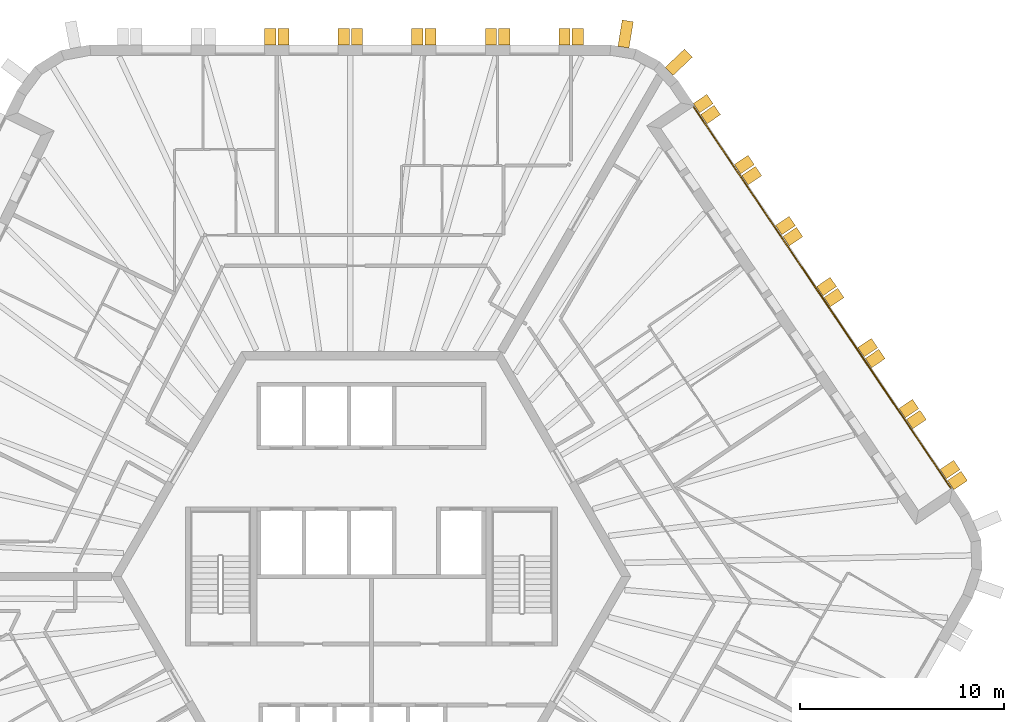
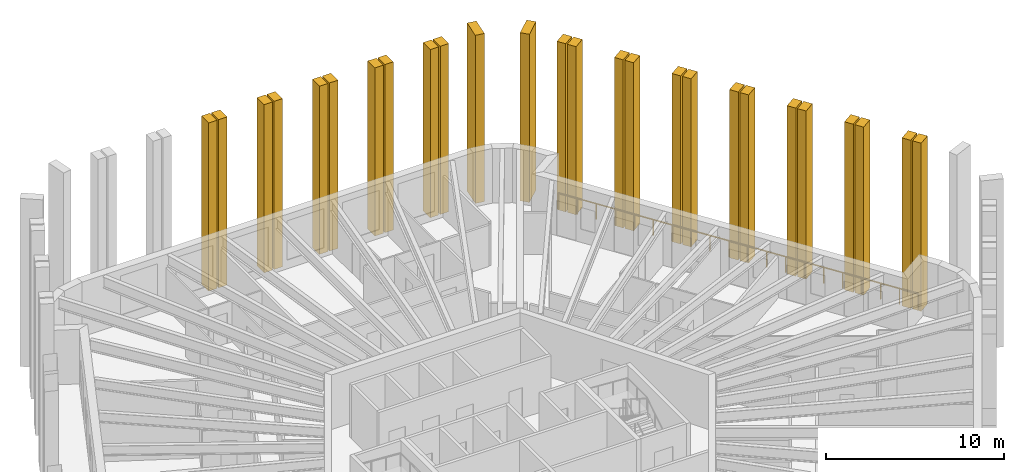
# One storey, part 13 of 13: 26 shading devices, 1 railing.
"""IFC4 building model written with IfcOpenShell, lengths in metres."""

import ifcopenshell
import ifcopenshell.guid

model = None  # the IFC model being written
_history = None  # IfcOwnerHistory: only IFC2X3 demands one
_inside = {}  # id of a spatial element -> (the spatial element, [elements in it])
_under = {}  # id of a project, library or spatial element -> (it, [spatial elements below it])
_declared = {}  # id of a project -> (the project, [libraries it declares])
_typed = {}  # id of a type object -> (the type object, [elements of that type])
_made_of = {}  # id of a material, layer set ... -> (it, [elements and type objects made of it])


def new_model(schema):
    """Start an empty IFC model of exactly this schema.

    Asked for "IFC4X3", IfcOpenShell would pick the latest addendum, in which some entities
    have other attributes; the version numbers below select the first issue.
    IFC2X3 requires an IfcOwnerHistory on every rooted entity: one is made here for all.
    """
    global model, _history
    if schema == "IFC4X3":
        model = ifcopenshell.file(schema_version=(4, 3, 0, 0))
    else:
        model = ifcopenshell.file(schema=schema)
    _inside.clear()
    _under.clear()
    _declared.clear()
    _typed.clear()
    _made_of.clear()
    _history = None
    if model.schema == "IFC2X3":
        org = make("IfcOrganization", Name="unknown")
        user = make(
            "IfcPersonAndOrganization",
            ThePerson=make("IfcPerson", FamilyName="unknown"),
            TheOrganization=org,
        )
        app = make(
            "IfcApplication",
            ApplicationDeveloper=org,
            Version="unknown",
            ApplicationFullName="unknown",
            ApplicationIdentifier="unknown",
        )
        _history = make(
            "IfcOwnerHistory",
            OwningUser=user,
            OwningApplication=app,
            ChangeAction="ADDED",
            CreationDate=0,
        )
    return model


def make(cls, **values):
    """One entity of the class cls with the attributes given. An attribute that is None is left unset."""
    return model.create_entity(
        cls, **{name: value for name, value in values.items() if value is not None}
    )


def rooted(cls, **values):
    """An entity with a GlobalId (a new one), such as an element, a storey or a relation."""
    return make(cls, GlobalId=ifcopenshell.guid.new(), OwnerHistory=_history, **values)


def si_unit(unit_type, name, prefix=None):
    """IfcSIUnit, for example si_unit("LENGTHUNIT", "METRE", prefix="MILLI")."""
    return make("IfcSIUnit", UnitType=unit_type, Prefix=prefix, Name=name)


def assignment(units):
    """IfcUnitAssignment: the units of a project."""
    return None if units is None else make("IfcUnitAssignment", Units=units)


def point(xyz):
    """IfcCartesianPoint."""
    return None if xyz is None else make("IfcCartesianPoint", Coordinates=xyz)


def direction(xyz):
    """IfcDirection."""
    return None if xyz is None else make("IfcDirection", DirectionRatios=xyz)


def frame(location, z_axis=None, x_axis=None):
    """IfcAxis2Placement3D, a coordinate frame: its origin and axes. An axis left out is left unset."""
    return make(
        "IfcAxis2Placement3D",
        Location=point(location),
        Axis=direction(z_axis),
        RefDirection=direction(x_axis),
    )


def frame_2d(location, x_axis=None):
    """IfcAxis2Placement2D, a coordinate frame in the plane: its origin and x axis."""
    return make(
        "IfcAxis2Placement2D", Location=point(location), RefDirection=direction(x_axis)
    )


def origin():
    """The frame at (0, 0, 0) with its axes left unset."""
    return frame((0.0, 0.0, 0.0))


def origin_2d():
    """The frame at (0, 0) in the plane with its x axis left unset."""
    return frame_2d((0.0, 0.0))


def place(relative_to, where):
    """IfcLocalPlacement: puts the frame where relative to a parent placement (None: the world)."""
    return make(
        "IfcLocalPlacement", PlacementRelTo=relative_to, RelativePlacement=where
    )


def context(
    kind, dimensions, precision=None, world=None, true_north=None, identifier=None
):
    """IfcGeometricRepresentationContext, for example the 3D "Model" context."""
    return make(
        "IfcGeometricRepresentationContext",
        ContextIdentifier=identifier,
        ContextType=kind,
        CoordinateSpaceDimension=dimensions,
        Precision=precision,
        WorldCoordinateSystem=world,
        TrueNorth=true_north,
    )


def subcontext(parent, identifier, kind, view, scale=None):
    """IfcGeometricRepresentationSubContext, for example "Body" below "Model"."""
    return make(
        "IfcGeometricRepresentationSubContext",
        ContextIdentifier=identifier,
        ContextType=kind,
        ParentContext=parent,
        TargetScale=scale,
        TargetView=view,
    )


def project(units=None, contexts=None):
    """IfcProject with its units and contexts."""
    return rooted(
        "IfcProject",
        Name="project",
        RepresentationContexts=contexts,
        UnitsInContext=assignment(units),
    )


def spatial(cls, under=None, at=None, **own):
    """A site, building, storey or space (cls), placed at a placement, below another one or the project."""
    s = rooted(cls, ObjectPlacement=at, **own)
    if under is not None:
        _under.setdefault(under.id(), (under, []))[1].append(s)
    return s


def polyline(points):
    """IfcPolyline through the points."""
    return make("IfcPolyline", Points=[point(p) for p in points])


def profile(cls, at=None, kind="AREA", **sizes):
    """A parametric profile (cls). Its sizes go by their IFC names, for example OverallWidth=200.0."""
    return make(cls, ProfileType=kind, Position=at, **sizes)


def circle(**sizes):
    """IfcCircleProfileDef."""
    return profile("IfcCircleProfileDef", **sizes)


def outline(outer, holes=None, kind="AREA"):
    """IfcArbitraryClosedProfileDef: a profile drawn as a closed curve; with holes, ...WithVoids."""
    if holes is None:
        return make("IfcArbitraryClosedProfileDef", ProfileType=kind, OuterCurve=outer)
    return make(
        "IfcArbitraryProfileDefWithVoids",
        ProfileType=kind,
        OuterCurve=outer,
        InnerCurves=holes,
    )


def extrude(swept, where, along, depth):
    """IfcExtrudedAreaSolid: the profile swept, set in the frame where, extruded along a direction by depth."""
    return make(
        "IfcExtrudedAreaSolid",
        SweptArea=swept,
        Position=where,
        ExtrudedDirection=direction(along),
        Depth=depth,
    )


def shape(context_of_items, identifier, shape_type, items):
    """IfcShapeRepresentation: the items that make up one representation, for example the "Body"."""
    return make(
        "IfcShapeRepresentation",
        ContextOfItems=context_of_items,
        RepresentationIdentifier=identifier,
        RepresentationType=shape_type,
        Items=items,
    )


def material(Name=None, Category=None):
    """IfcMaterial."""
    return make("IfcMaterial", Name=Name, Category=Category)


def layer(
    of_material, thickness, ventilated=None, Name=None, Category=None, Priority=None
):
    """IfcMaterialLayer: one layer of a wall or slab, of a material (None: an air gap)."""
    return make(
        "IfcMaterialLayer",
        Material=of_material,
        LayerThickness=thickness,
        IsVentilated=ventilated,
        Name=Name,
        Category=Category,
        Priority=Priority,
    )


def layer_set(layers, Name=None):
    """IfcMaterialLayerSet."""
    return make("IfcMaterialLayerSet", MaterialLayers=layers, LayerSetName=Name)


def made_of(thing, what):
    """Note that an element or type object is made of a material, layer set ...; save() writes the relation."""
    if what is not None:
        _made_of.setdefault(what.id(), (what, []))[1].append(thing)
    return thing


def type_object(cls, material=None, **own):
    """A type object (cls), such as IfcWallType, which elements share."""
    return made_of(rooted(cls, **own), material)


def element(
    cls,
    number,
    at=None,
    inside=None,
    cuts=None,
    type_object=None,
    material=None,
    context=None,
    identifier="Body",
    shape_type=None,
    held_by="IfcProductDefinitionShape",
    body=None,
    shapes=None,
    **own,
):
    """One element of the class cls, such as IfcWall. Its Tag is "e" and its number.

    at: its placement. inside: the storey or other place that contains it. cuts: it is an
    opening in that element (IfcRelVoidsElement). A single representation is given by context,
    identifier, shape_type and body (its items); several are given by shapes. held_by: the class
    of the entity that holds the representations. save() writes the other relations.
    """
    e = rooted(cls, Tag="e%d" % number, ObjectPlacement=at, **own)
    if body is not None:
        shapes = [shape(context, identifier, shape_type, body)]
    if shapes is not None:
        e.Representation = make(held_by, Representations=shapes)
    if inside is not None:
        _inside.setdefault(inside.id(), (inside, []))[1].append(e)
    if cuts is not None:
        rooted(
            "IfcRelVoidsElement", RelatingBuildingElement=cuts, RelatedOpeningElement=e
        )
    if type_object is not None:
        _typed.setdefault(type_object.id(), (type_object, []))[1].append(e)
    return made_of(e, material)


def aggregate(whole, parts):
    """IfcRelAggregates: a whole, such as a stair, and the parts it consists of."""
    return rooted("IfcRelAggregates", RelatingObject=whole, RelatedObjects=parts)


def save(model, path):
    """Write the relations noted so far, then the file.

    IfcRelAggregates (storeys below a building ...), IfcRelContainedInSpatialStructure (elements
    in a storey), IfcRelDefinesByType, IfcRelAssociatesMaterial and IfcRelDeclares: one each for
    every whole, place, type object, material and project.
    """
    for whole, parts in _under.values():
        aggregate(whole, parts)
    for where, things in _inside.values():
        rooted(
            "IfcRelContainedInSpatialStructure",
            RelatedElements=things,
            RelatingStructure=where,
        )
    for kind, things in _typed.values():
        rooted("IfcRelDefinesByType", RelatedObjects=things, RelatingType=kind)
    for what, things in _made_of.values():
        rooted("IfcRelAssociatesMaterial", RelatedObjects=things, RelatingMaterial=what)
    for by, libraries in _declared.values():
        rooted("IfcRelDeclares", RelatingContext=by, RelatedDefinitions=libraries)
    model.write(path)


model = new_model("IFC4")

# Units and contexts
model_context = context("Model", 3, precision=1e-05, world=origin(), true_north=direction((0.0, 1.0)))
body_context = subcontext(model_context, "Body", "Model", "MODEL_VIEW")
ifc_project = project(units=[si_unit("LENGTHUNIT", "METRE"), si_unit("AREAUNIT", "SQUARE_METRE"), si_unit("VOLUMEUNIT", "CUBIC_METRE"), si_unit("PLANEANGLEUNIT", "RADIAN"), si_unit("MASSUNIT", "GRAM", prefix="KILO")], contexts=[model_context])

# Site, building, storey
site_placement = place(None, origin())
site = spatial("IfcSite", under=ifc_project, at=site_placement, CompositionType="ELEMENT")
building_placement = place(site_placement, origin())
building = spatial("IfcBuilding", under=site, at=building_placement, Name="Tarnside Tower", CompositionType="ELEMENT")
storey_placement = place(building_placement, frame((0.0, 0.0, 326.39990234375)))
storey = spatial("IfcBuildingStorey", under=building, at=storey_placement, Name="L79", CompositionType="ELEMENT", Elevation=326.39990234375)

# Railing
ifc_material_1 = material(Name="Toughened glass", Category="glass")
railing_type = type_object("IfcRailingType", Name="Glass guard 1100", PredefinedType="GUARDRAIL", material=ifc_material_1)
railing_placement = place(storey_placement, frame((28.365234375, 4.299560546875, 0.0)))
element("IfcRailing", 1, at=railing_placement, inside=storey, type_object=railing_type, Name="Loggia guard L79 F6", PredefinedType="GUARDRAIL", context=body_context, shape_type="SweptSolid", body=[
    extrude(circle(Radius=0.030029296875, at=origin_2d()), frame((0.0, 0.0, 1.070068359375), z_axis=(-0.559195329741, 0.82903593601, 0.0), x_axis=(-0.82903593601, -0.559195329741, 0.0)), (0.0, 0.0, 1.0), 22.544677734375),
    extrude(circle(Radius=0.02490234375, at=origin_2d()), origin(), (0.0, 0.0, 1.0), 1.0400390625),
    extrude(circle(Radius=0.02490234375, at=origin_2d()), frame((-0.66357421875, 0.983642578125, 0.0)), (0.0, 0.0, 1.0), 1.0400390625),
    extrude(circle(Radius=0.02490234375, at=origin_2d()), frame((-1.3271484375, 1.967529296875, 0.0)), (0.0, 0.0, 1.0), 1.0400390625),
    extrude(circle(Radius=0.02490234375, at=origin_2d()), frame((-1.990478515625, 2.951171875, 0.0)), (0.0, 0.0, 1.0), 1.0400390625),
    extrude(circle(Radius=0.02490234375, at=origin_2d()), frame((-2.654052734375, 3.934814453125, 0.0)), (0.0, 0.0, 1.0), 1.0400390625),
    extrude(circle(Radius=0.02490234375, at=origin_2d()), frame((-3.317626953125, 4.91845703125, 0.0)), (0.0, 0.0, 1.0), 1.0400390625),
    extrude(circle(Radius=0.02490234375, at=origin_2d()), frame((-3.981201171875, 5.90234375, 0.0)), (0.0, 0.0, 1.0), 1.0400390625),
    extrude(circle(Radius=0.02490234375, at=origin_2d()), frame((-4.644775390625, 6.885986328125, 0.0)), (0.0, 0.0, 1.0), 1.0400390625),
    extrude(circle(Radius=0.02490234375, at=origin_2d()), frame((-5.30810546875, 7.86962890625, 0.0)), (0.0, 0.0, 1.0), 1.0400390625),
    extrude(circle(Radius=0.02490234375, at=origin_2d()), frame((-5.9716796875, 8.853271484375, 0.0)), (0.0, 0.0, 1.0), 1.0400390625),
    extrude(circle(Radius=0.02490234375, at=origin_2d()), frame((-6.63525390625, 9.837158203125, 0.0)), (0.0, 0.0, 1.0), 1.0400390625),
    extrude(circle(Radius=0.02490234375, at=origin_2d()), frame((-7.298828125, 10.82080078125, 0.0)), (0.0, 0.0, 1.0), 1.0400390625),
    extrude(circle(Radius=0.02490234375, at=origin_2d()), frame((-7.962158203125, 11.804443359375, 0.0)), (0.0, 0.0, 1.0), 1.0400390625),
    extrude(circle(Radius=0.02490234375, at=origin_2d()), frame((-8.625732421875, 12.7880859375, 0.0)), (0.0, 0.0, 1.0), 1.0400390625),
    extrude(circle(Radius=0.02490234375, at=origin_2d()), frame((-9.289306640625, 13.77197265625, 0.0)), (0.0, 0.0, 1.0), 1.0400390625),
    extrude(circle(Radius=0.02490234375, at=origin_2d()), frame((-9.952880859375, 14.755615234375, 0.0)), (0.0, 0.0, 1.0), 1.0400390625),
    extrude(circle(Radius=0.02490234375, at=origin_2d()), frame((-10.616455078125, 15.7392578125, 0.0)), (0.0, 0.0, 1.0), 1.0400390625),
    extrude(circle(Radius=0.02490234375, at=origin_2d()), frame((-11.27978515625, 16.722900390625, 0.0)), (0.0, 0.0, 1.0), 1.0400390625),
    extrude(circle(Radius=0.02490234375, at=origin_2d()), frame((-11.943359375, 17.706787109375, 0.0)), (0.0, 0.0, 1.0), 1.0400390625),
    extrude(circle(Radius=0.02490234375, at=origin_2d()), frame((-12.60693359375, 18.6904296875, 0.0)), (0.0, 0.0, 1.0), 1.0400390625),
])

# Shading devices
ifc_material_2 = material(Name="Concrete C50/60 white precast", Category="concrete")
ifc_layer_1 = layer(ifc_material_2, 0.550048828125)
ifc_layer_set_1 = layer_set([ifc_layer_1], Name="Precast fin 550 x 1300")
shading_device_type_1 = type_object("IfcShadingDeviceType", Name="Precast fin 550 x 1300", PredefinedType="USERDEFINED", material=ifc_layer_set_1)
for number, where, z_axis, x_axis, name in (
    (2, (14.571044921875, 24.7109375, -0.14990234375), (0.686241637865, -0.727373641577, 0.0), (0.727373641577, 0.686241637865, 0.0), "Precast fin"),
    (3, (12.33837890625, 25.89794921875, -0.14990234375), (0.986761532114, -0.1621779231, 0.0), (0.1621779231, 0.986761532114, 0.0), "Precast fin"),
):
    element("IfcShadingDevice", number, at=place(storey_placement, frame(where, z_axis=z_axis, x_axis=x_axis)), inside=storey, type_object=shading_device_type_1, Name=name, ObjectType="FIN", PredefinedType="USERDEFINED", context=body_context, shape_type="SweptSolid", body=[
        extrude(outline(polyline([(0.0, 0.0), (1.300048828125, 0.0), (1.300048828125, 11.550048828125), (0.0, 11.550048828125), (0.0, 0.0)])), frame((0.0, 0.0, -0.27490234375)), (0.0, 0.0, 1.0), 0.550048828125),
    ])
ifc_layer_2 = layer(ifc_material_2, 0.550048828125)
ifc_layer_set_2 = layer_set([ifc_layer_2], Name="Precast fin 550 x 800")
shading_device_type_2 = type_object("IfcShadingDeviceType", Name="Precast fin 550 x 800", PredefinedType="USERDEFINED", material=ifc_layer_set_2)
for number, where, z_axis, x_axis, name in (
    (4, (10.10009765625, 26.0, -0.14990234375), (1.0, 0.0, 0.0), (0.0, 1.0, 0.0), "Precast fin"),
    (5, (9.4501953125, 26.0, -0.14990234375), (1.0, 0.0, 0.0), (0.0, 1.0, 0.0), "Precast fin"),
    (6, (6.500244140625, 26.0, -0.14990234375), (1.0, 0.0, 0.0), (0.0, 1.0, 0.0), "Precast fin"),
    (7, (5.85009765625, 26.0, -0.14990234375), (1.0, 0.0, 0.0), (0.0, 1.0, 0.0), "Precast fin"),
    (8, (2.900146484375, 26.0, -0.14990234375), (1.0, 0.0, 0.0), (0.0, 1.0, 0.0), "Precast fin"),
    (9, (2.250244140625, 26.0, -0.14990234375), (1.0, 0.0, 0.0), (0.0, 1.0, 0.0), "Precast fin"),
    (10, (-0.69970703125, 26.0, -0.14990234375), (1.0, 0.0, 0.0), (0.0, 1.0, 0.0), "Precast fin"),
    (11, (-1.349853515625, 26.0, -0.14990234375), (1.0, 0.0, 0.0), (0.0, 1.0, 0.0), "Precast fin"),
    (12, (-4.2998046875, 26.0, -0.14990234375), (1.0, 0.0, 0.0), (0.0, 1.0, 0.0), "Precast fin"),
    (13, (-4.94970703125, 26.0, -0.14990234375), (1.0, 0.0, 0.0), (0.0, 1.0, 0.0), "Precast fin"),
    (14, (28.34912109375, 4.466552734375, -0.14990234375), (0.559192903471, -0.829037572555, 0.0), (0.829037572555, 0.559192903471, 0.0), "Precast fin"),
    (15, (27.985595703125, 5.00537109375, -0.14990234375), (0.559192903471, -0.829037572555, 0.0), (0.829037572555, 0.559192903471, 0.0), "Precast fin"),
    (16, (26.3359375, 7.450927734375, -0.14990234375), (0.559192903471, -0.829037572555, 0.0), (0.829037572555, 0.559192903471, 0.0), "Precast fin"),
    (17, (25.972412109375, 7.98974609375, -0.14990234375), (0.559192903471, -0.829037572555, 0.0), (0.829037572555, 0.559192903471, 0.0), "Precast fin"),
    (18, (24.32275390625, 10.435546875, -0.14990234375), (0.559192903471, -0.829037572555, 0.0), (0.829037572555, 0.559192903471, 0.0), "Precast fin"),
    (19, (23.95947265625, 10.974365234375, -0.14990234375), (0.559192903471, -0.829037572555, 0.0), (0.829037572555, 0.559192903471, 0.0), "Precast fin"),
    (20, (22.309814453125, 13.419921875, -0.14990234375), (0.559192903471, -0.829037572555, 0.0), (0.829037572555, 0.559192903471, 0.0), "Precast fin"),
    (21, (21.9462890625, 13.958984375, -0.14990234375), (0.559192903471, -0.829037572555, 0.0), (0.829037572555, 0.559192903471, 0.0), "Precast fin"),
    (22, (20.296630859375, 16.404541015625, -0.14990234375), (0.559192903471, -0.829037572555, 0.0), (0.829037572555, 0.559192903471, 0.0), "Precast fin"),
    (23, (19.93310546875, 16.943359375, -0.14990234375), (0.559192903471, -0.829037572555, 0.0), (0.829037572555, 0.559192903471, 0.0), "Precast fin"),
    (24, (18.283447265625, 19.38916015625, -0.14990234375), (0.559192903471, -0.829037572555, 0.0), (0.829037572555, 0.559192903471, 0.0), "Precast fin"),
    (25, (17.920166015625, 19.927978515625, -0.14990234375), (0.559192903471, -0.829037572555, 0.0), (0.829037572555, 0.559192903471, 0.0), "Precast fin"),
    (26, (16.2705078125, 22.37353515625, -0.14990234375), (0.559192903471, -0.829037572555, 0.0), (0.829037572555, 0.559192903471, 0.0), "Precast fin"),
    (27, (15.906982421875, 22.91259765625, -0.14990234375), (0.559192903471, -0.829037572555, 0.0), (0.829037572555, 0.559192903471, 0.0), "Precast fin"),
):
    element("IfcShadingDevice", number, at=place(storey_placement, frame(where, z_axis=z_axis, x_axis=x_axis)), inside=storey, type_object=shading_device_type_2, Name=name, ObjectType="FIN", PredefinedType="USERDEFINED", context=body_context, shape_type="SweptSolid", body=[
        extrude(outline(polyline([(0.0, 0.0), (0.800048828125, 0.0), (0.800048828125, 11.550048828125), (0.0, 11.550048828125), (0.0, 0.0)])), frame((0.0, 0.0, -0.27490234375)), (0.0, 0.0, 1.0), 0.550048828125),
    ])

save(model, "model.ifc")
